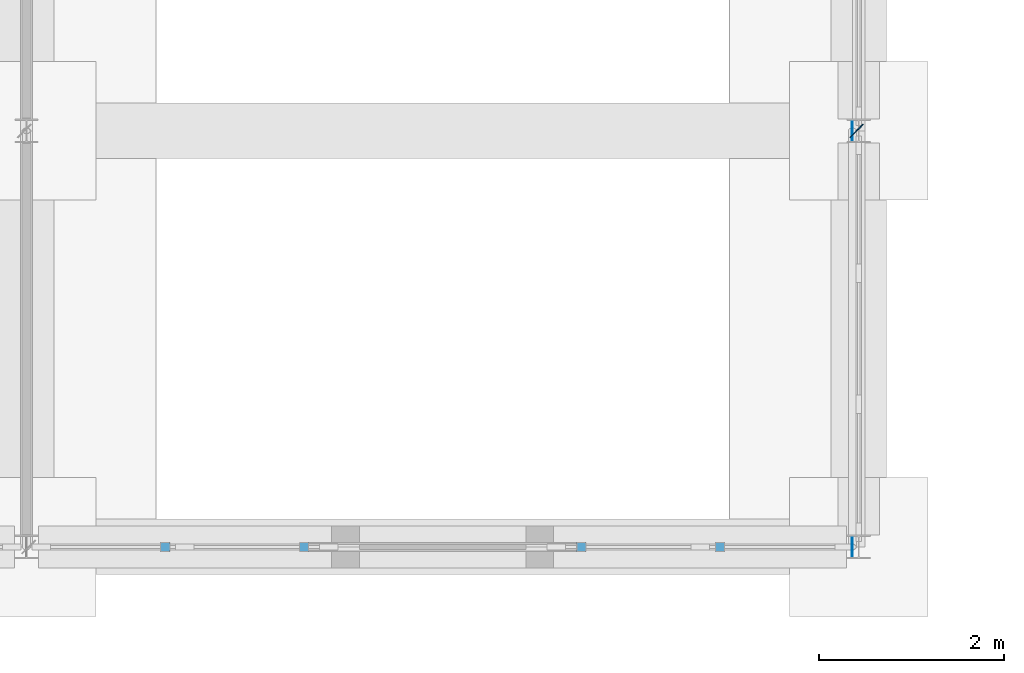
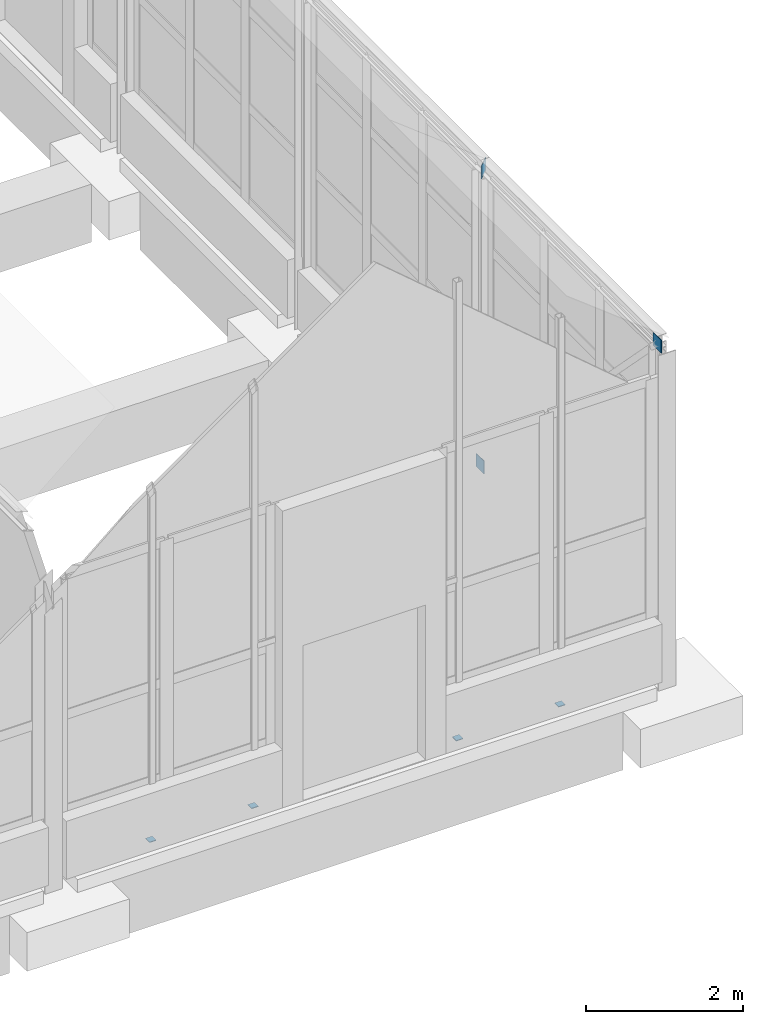
# One storey, part 85 of 106: 7 discrete accessories.
"""IFC4 building model written with IfcOpenShell, lengths in metres."""

from ifc_helpers import new_model, si_unit, direction, frame, origin, origin_2d, place, context, subcontext, project, spatial, rectangle, extrude, material, type_object, element, save


model = new_model("IFC4")

# Units and contexts
model_context = context("Model", 3, precision=1e-05, world=origin(), true_north=direction((0.0, 1.0)))
body_context = subcontext(model_context, "Body", "Model", "MODEL_VIEW")
ifc_project = project(units=[si_unit("LENGTHUNIT", "METRE"), si_unit("AREAUNIT", "SQUARE_METRE"), si_unit("VOLUMEUNIT", "CUBIC_METRE"), si_unit("PLANEANGLEUNIT", "RADIAN"), si_unit("MASSUNIT", "GRAM", prefix="KILO")], contexts=[model_context])

# Site, building, storey
site_placement = place(None, origin())
site = spatial("IfcSite", under=ifc_project, at=site_placement, CompositionType="ELEMENT")
building_placement = place(site_placement, origin())
building = spatial("IfcBuilding", under=site, at=building_placement, Name="Hortulan Conservatory and Botanical Research Centre", CompositionType="ELEMENT")
storey_placement = place(building_placement, origin())
storey = spatial("IfcBuildingStorey", under=building, at=storey_placement, Name="L00", CompositionType="ELEMENT", Elevation=0.0)

# Discrete accessories
ifc_material = material(Name="Steel Grade 300 plate (AS/NZS 3678, 280 MPa minimum yield)", Category="steel")
discrete_accessory_type_1 = type_object("IfcDiscreteAccessoryType", Name="End Plate 100x10", PredefinedType="BRACKET", material=ifc_material)
for number, where, z_axis, x_axis, name in (
    (1, (96.0, 0.0, 0.0), (0.0, 0.0, 1.0), (1.0, 0.0, 0.0), "Propagation and Quarantine Glasshouse gable post base plate S 1.5"),
    (2, (97.5, 0.0, 0.0), (0.0, 0.0, 1.0), (1.0, 0.0, 0.0), "Propagation and Quarantine Glasshouse gable post base plate S 3"),
    (3, (100.5, 0.0, 0.0), (0.0, 0.0, 1.0), (1.0, 0.0, 0.0), "Propagation and Quarantine Glasshouse gable post base plate S 6"),
    (4, (102.0, 0.0, 0.0), (0.0, 0.0, 1.0), (1.0, 0.0, 0.0), "Propagation and Quarantine Glasshouse gable post base plate S 7.5"),
):
    element("IfcDiscreteAccessory", number, at=place(storey_placement, frame(where, z_axis=z_axis, x_axis=x_axis)), inside=storey, type_object=discrete_accessory_type_1, Name=name, PredefinedType="BRACKET", context=body_context, shape_type="SweptSolid", body=[
        extrude(rectangle(XDim=0.10009765625, YDim=0.10009765625, at=origin_2d()), origin(), (0.0, 0.0, 1.0), 0.010009765625),
    ])
discrete_accessory_type_2 = type_object("IfcDiscreteAccessoryType", Name="End Plate 200x10", PredefinedType="BRACKET", material=ifc_material)
for number, where, z_axis, x_axis, name in (
    (5, (103.431640625, 0.0, 5.00341796875), (0.0, 0.0, 1.0), (0.0, -1.0, 0.0), "Brace end plate"),
    (6, (103.431640625, 4.5, 0.39990234375), (0.0, 0.0, 1.0), (0.0, -1.0, 0.0), "Brace end plate"),
    (7, (103.4765625, 4.5, 4.97119140625), (0.0, 0.0, 1.0), (0.707106781187, 0.707106781187, 0.0), "Brace end plate"),
):
    element("IfcDiscreteAccessory", number, at=place(storey_placement, frame(where, z_axis=z_axis, x_axis=x_axis)), inside=storey, type_object=discrete_accessory_type_2, Name=name, PredefinedType="BRACKET", context=body_context, shape_type="SweptSolid", body=[
        extrude(rectangle(XDim=0.199951171875, YDim=0.010009765625, at=origin_2d()), origin(), (0.0, 0.0, 1.0), 0.199951171875),
    ])

save(model, "model.ifc")
